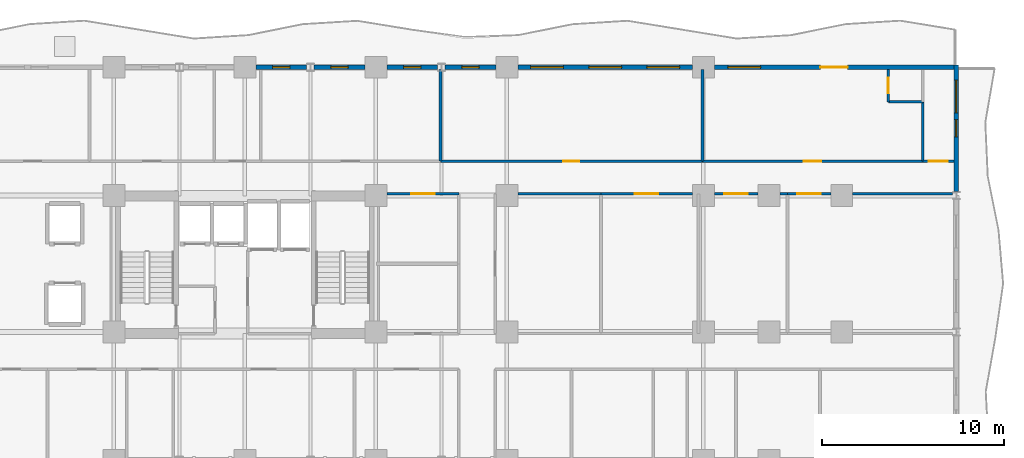
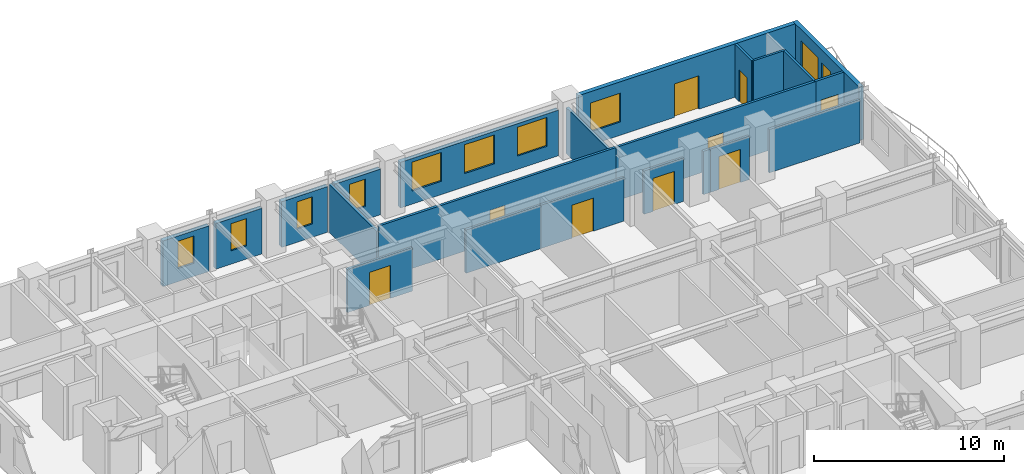
# One storey, part 7 of 11: 22 walls, 10 windows, 9 doors, 19 openings.
"""IFC4 building model written with IfcOpenShell, lengths in metres."""

from ifc_helpers import new_model, si_unit, direction, frame, frame_2d, origin, place, context, subcontext, project, spatial, rectangle, extrude, material, layer, layer_set, type_object, element, fill, save


model = new_model("IFC4")

# Units and contexts
model_context = context("Model", 3, precision=1e-05, world=origin(), true_north=direction((0.0, 1.0)))
body_context = subcontext(model_context, "Body", "Model", "MODEL_VIEW")
ifc_project = project(units=[si_unit("LENGTHUNIT", "METRE"), si_unit("AREAUNIT", "SQUARE_METRE"), si_unit("VOLUMEUNIT", "CUBIC_METRE"), si_unit("PLANEANGLEUNIT", "RADIAN"), si_unit("MASSUNIT", "GRAM", prefix="KILO")], contexts=[model_context])

# Site, building, storey
site_placement = place(None, origin())
site = spatial("IfcSite", under=ifc_project, at=site_placement, CompositionType="ELEMENT")
building_placement = place(site_placement, origin())
building = spatial("IfcBuilding", under=site, at=building_placement, Name="Kaliganga Portal Commons", CompositionType="ELEMENT")
storey_placement = place(building_placement, frame((0.0, 0.0, 89.699951171875)))
storey = spatial("IfcBuildingStorey", under=building, at=storey_placement, Name="L22", CompositionType="ELEMENT", Elevation=89.699951171875)

# Wall, openings, windows
ifc_material_1 = material(Name="Insulated Aluminium-Clad Spandrel Assembly", Category="aluminium")
ifc_layer_1 = layer(ifc_material_1, 0.260009765625)
ifc_layer_set_1 = layer_set([ifc_layer_1], Name="Insulated Aluminium-Clad Spandrel Assembly")
wall_type_1 = type_object("IfcWallType", Name="WL-EXT-SPAND-260", PredefinedType="STANDARD", material=ifc_layer_set_1)
wall_1_placement = place(storey_placement, frame((60.699951171875, 43.330078125, 0.0), z_axis=(0.0, 0.0, 1.0), x_axis=(0.0, -1.0, 0.0)))
wall_1 = element("IfcWall", 1, at=wall_1_placement, inside=storey, type_object=wall_type_1, Name="Exterior Envelope Wall L22 P1-E01-S6", PredefinedType="STANDARD", context=body_context, shape_type="SweptSolid", body=[
    extrude(rectangle(XDim=6.964111328125, YDim=0.260009765625, at=frame_2d((3.48193359375, 0.0))), origin(), (0.0, 0.0, 1.0), 3.429931640625),
])
opening_1_placement = place(wall_1_placement, frame((0.841064453125, 0.0, 0.85009765625)))
opening_1 = element("IfcOpeningElement", 2, at=opening_1_placement, cuts=wall_1, Name="Opening W-01", PredefinedType="OPENING", context=body_context, shape_type="SweptSolid", body=[
    extrude(rectangle(XDim=1.800048828125, YDim=1.85009765625, at=frame_2d((0.89990234375, 0.925048828125))), frame((0.0, 0.14013671875, 0.0), z_axis=(0.0, -1.0, 0.0), x_axis=(1.0, 0.0, 0.0)), (0.0, 0.0, 1.0), 0.280029296875),
])
opening_2_placement = place(wall_1_placement, frame((3.007080078125, 0.0, 0.85009765625)))
opening_2 = element("IfcOpeningElement", 3, at=opening_2_placement, cuts=wall_1, Name="Opening W-04", PredefinedType="OPENING", context=body_context, shape_type="SweptSolid", body=[
    extrude(rectangle(XDim=0.949951171875, YDim=1.75, at=frame_2d((0.47509765625, 0.875))), frame((0.0, 0.14013671875, 0.0), z_axis=(0.0, -1.0, 0.0), x_axis=(1.0, 0.0, 0.0)), (0.0, 0.0, 1.0), 0.280029296875),
])
ifc_material_2 = material(Name="Thermally Broken Aluminium and Low-E Double Glazing", Category="aluminium")
window_type_1 = type_object("IfcWindowType", Name="WIN-NARROW-950", PartitioningType="SINGLE_PANEL", PredefinedType="WINDOW", material=ifc_material_2)
window_1_placement = place(opening_2_placement, origin())
window_1 = element("IfcWindow", 4, at=window_1_placement, inside=storey, type_object=window_type_1, Name="Facade Window L22-P1E01S6-N0", OverallHeight=1.75, OverallWidth=0.949951171875, PartitioningType="SINGLE_PANEL", PredefinedType="WINDOW", context=body_context, shape_type="SweptSolid", body=[
    extrude(rectangle(XDim=0.949951171875, YDim=1.75, at=frame_2d((0.47509765625, 0.875))), frame((0.0, 0.030029296875, 0.0), z_axis=(0.0, -1.0, 0.0), x_axis=(1.0, 0.0, 0.0)), (0.0, 0.0, 1.0), 0.06005859375),
])
fill(opening_2, window_1)
window_type_2 = type_object("IfcWindowType", Name="WIN-STD-1800", PartitioningType="DOUBLE_PANEL_VERTICAL", PredefinedType="WINDOW", material=ifc_material_2)
window_2_placement = place(opening_1_placement, origin())
window_2 = element("IfcWindow", 5, at=window_2_placement, inside=storey, type_object=window_type_2, Name="Facade Window L22-P1E01S6-00", OverallHeight=1.85009765625, OverallWidth=1.800048828125, PartitioningType="SINGLE_PANEL", PredefinedType="WINDOW", context=body_context, shape_type="SweptSolid", body=[
    extrude(rectangle(XDim=1.800048828125, YDim=1.85009765625, at=frame_2d((0.89990234375, 0.925048828125))), frame((0.0, 0.030029296875, 0.0), z_axis=(0.0, -1.0, 0.0), x_axis=(1.0, 0.0, 0.0)), (0.0, 0.0, 1.0), 0.06005859375),
])
fill(opening_1, window_2)

# Wall, openings, door, window
wall_2_placement = place(storey_placement, frame((47.40087890625, 43.199951171875, 0.0), z_axis=(0.0, 0.0, 1.0), x_axis=(1.0, 0.0, 0.0)))
wall_2 = element("IfcWall", 6, at=wall_2_placement, inside=storey, type_object=wall_type_1, Name="Exterior Envelope Wall L22 P1-E02-S1", PredefinedType="STANDARD", context=body_context, shape_type="SweptSolid", body=[
    extrude(rectangle(XDim=13.1640625, YDim=0.260009765625, at=frame_2d((6.58203125, 0.0))), origin(), (0.0, 0.0, 1.0), 3.429931640625),
])
opening_3_placement = place(wall_2_placement, frame((5.83203125, 0.0, 0.0)))
opening_3 = element("IfcOpeningElement", 7, at=opening_3_placement, cuts=wall_2, Name="Opening BD-01", PredefinedType="OPENING", context=body_context, shape_type="SweptSolid", body=[
    extrude(rectangle(XDim=1.5, YDim=2.14990234375, at=frame_2d((0.75, 1.074951171875))), frame((0.0, 0.14013671875, 0.0), z_axis=(0.0, -1.0, 0.0), x_axis=(1.0, 0.0, 0.0)), (0.0, 0.0, 1.0), 0.280029296875),
])
opening_4_placement = place(wall_2_placement, frame((0.74560546875, 0.0, 0.85009765625)))
opening_4 = element("IfcOpeningElement", 8, at=opening_4_placement, cuts=wall_2, Name="Opening W-01", PredefinedType="OPENING", context=body_context, shape_type="SweptSolid", body=[
    extrude(rectangle(XDim=1.800048828125, YDim=1.85009765625, at=frame_2d((0.89990234375, 0.925048828125))), frame((0.0, 0.14013671875, 0.0), z_axis=(0.0, -1.0, 0.0), x_axis=(1.0, 0.0, 0.0)), (0.0, 0.0, 1.0), 0.280029296875),
])
ifc_material_3 = material(Name="Anodized Aluminium and Laminated Safety Glass", Category="aluminium")
door_type_1 = type_object("IfcDoorType", Name="DR-BALC-1500", OperationType="SLIDING_TO_LEFT", PredefinedType="DOOR", material=ifc_material_3)
door_1_placement = place(opening_3_placement, origin())
door_1 = element("IfcDoor", 9, at=door_1_placement, inside=storey, type_object=door_type_1, Name="Balcony Sliding Door L22 balc_north", OperationType="SLIDING_TO_LEFT", OverallHeight=2.14990234375, OverallWidth=1.5, PredefinedType="DOOR", context=body_context, shape_type="SweptSolid", body=[
    extrude(rectangle(XDim=1.5, YDim=2.14990234375, at=frame_2d((0.75, 1.074951171875))), frame((0.0, 0.02490234375, 0.0), z_axis=(0.0, -1.0, 0.0), x_axis=(1.0, 0.0, 0.0)), (0.0, 0.0, 1.0), 0.050048828125),
])
fill(opening_3, door_1)
window_3_placement = place(opening_4_placement, origin())
window_3 = element("IfcWindow", 10, at=window_3_placement, inside=storey, type_object=window_type_2, Name="Facade Window L22-P1E02S1-00", OverallHeight=1.85009765625, OverallWidth=1.800048828125, PartitioningType="SINGLE_PANEL", PredefinedType="WINDOW", context=body_context, shape_type="SweptSolid", body=[
    extrude(rectangle(XDim=1.800048828125, YDim=1.85009765625, at=frame_2d((0.89990234375, 0.925048828125))), frame((0.0, 0.030029296875, 0.0), z_axis=(0.0, -1.0, 0.0), x_axis=(1.0, 0.0, 0.0)), (0.0, 0.0, 1.0), 0.06005859375),
])
fill(opening_4, window_3)

# Wall, openings, windows
wall_3_placement = place(storey_placement, frame((36.60107421875, 43.199951171875, 0.0), z_axis=(0.0, 0.0, 1.0), x_axis=(1.0, 0.0, 0.0)))
wall_3 = element("IfcWall", 11, at=wall_3_placement, inside=storey, type_object=wall_type_1, Name="Exterior Envelope Wall L22 P1-E02-S2", PredefinedType="STANDARD", context=body_context, shape_type="SweptSolid", body=[
    extrude(rectangle(XDim=9.597900390625, YDim=0.260009765625, at=frame_2d((4.798828125, 0.0))), origin(), (0.0, 0.0, 1.0), 2.929931640625),
])
opening_5_placement = place(wall_3_placement, frame((0.69970703125, 0.0, 0.85009765625)))
opening_5 = element("IfcOpeningElement", 12, at=opening_5_placement, cuts=wall_3, Name="Opening W-01", PredefinedType="OPENING", context=body_context, shape_type="SweptSolid", body=[
    extrude(rectangle(XDim=1.800048828125, YDim=1.85009765625, at=frame_2d((0.89990234375, 0.925048828125))), frame((0.0, 0.14013671875, 0.0), z_axis=(0.0, -1.0, 0.0), x_axis=(1.0, 0.0, 0.0)), (0.0, 0.0, 1.0), 0.280029296875),
])
opening_6_placement = place(wall_3_placement, frame((3.89892578125, 0.0, 0.85009765625)))
opening_6 = element("IfcOpeningElement", 13, at=opening_6_placement, cuts=wall_3, Name="Opening W-01", PredefinedType="OPENING", context=body_context, shape_type="SweptSolid", body=[
    extrude(rectangle(XDim=1.800048828125, YDim=1.85009765625, at=frame_2d((0.89990234375, 0.925048828125))), frame((0.0, 0.14013671875, 0.0), z_axis=(0.0, -1.0, 0.0), x_axis=(1.0, 0.0, 0.0)), (0.0, 0.0, 1.0), 0.280029296875),
])
opening_7_placement = place(wall_3_placement, frame((7.098388671875, 0.0, 0.85009765625)))
opening_7 = element("IfcOpeningElement", 14, at=opening_7_placement, cuts=wall_3, Name="Opening W-01", PredefinedType="OPENING", context=body_context, shape_type="SweptSolid", body=[
    extrude(rectangle(XDim=1.800048828125, YDim=1.85009765625, at=frame_2d((0.89990234375, 0.925048828125))), frame((0.0, 0.14013671875, 0.0), z_axis=(0.0, -1.0, 0.0), x_axis=(1.0, 0.0, 0.0)), (0.0, 0.0, 1.0), 0.280029296875),
])
window_4_placement = place(opening_5_placement, origin())
window_4 = element("IfcWindow", 15, at=window_4_placement, inside=storey, type_object=window_type_2, Name="Facade Window L22-P1E02S2-00", OverallHeight=1.85009765625, OverallWidth=1.800048828125, PartitioningType="SINGLE_PANEL", PredefinedType="WINDOW", context=body_context, shape_type="SweptSolid", body=[
    extrude(rectangle(XDim=1.800048828125, YDim=1.85009765625, at=frame_2d((0.89990234375, 0.925048828125))), frame((0.0, 0.030029296875, 0.0), z_axis=(0.0, -1.0, 0.0), x_axis=(1.0, 0.0, 0.0)), (0.0, 0.0, 1.0), 0.06005859375),
])
fill(opening_5, window_4)
window_5_placement = place(opening_6_placement, origin())
window_5 = element("IfcWindow", 16, at=window_5_placement, inside=storey, type_object=window_type_2, Name="Facade Window L22-P1E02S2-01", OverallHeight=1.85009765625, OverallWidth=1.800048828125, PartitioningType="SINGLE_PANEL", PredefinedType="WINDOW", context=body_context, shape_type="SweptSolid", body=[
    extrude(rectangle(XDim=1.800048828125, YDim=1.85009765625, at=frame_2d((0.89990234375, 0.925048828125))), frame((0.0, 0.030029296875, 0.0), z_axis=(0.0, -1.0, 0.0), x_axis=(1.0, 0.0, 0.0)), (0.0, 0.0, 1.0), 0.06005859375),
])
fill(opening_6, window_5)
window_6_placement = place(opening_7_placement, origin())
window_6 = element("IfcWindow", 17, at=window_6_placement, inside=storey, type_object=window_type_2, Name="Facade Window L22-P1E02S2-02", OverallHeight=1.85009765625, OverallWidth=1.800048828125, PartitioningType="SINGLE_PANEL", PredefinedType="WINDOW", context=body_context, shape_type="SweptSolid", body=[
    extrude(rectangle(XDim=1.800048828125, YDim=1.85009765625, at=frame_2d((0.89990234375, 0.925048828125))), frame((0.0, 0.030029296875, 0.0), z_axis=(0.0, -1.0, 0.0), x_axis=(1.0, 0.0, 0.0)), (0.0, 0.0, 1.0), 0.06005859375),
])
fill(opening_7, window_6)

# Wall, opening, window
wall_4_placement = place(storey_placement, frame((32.60546875, 43.199951171875, 0.0), z_axis=(0.0, 0.0, 1.0), x_axis=(1.0, 0.0, 0.0)))
wall_4 = element("IfcWall", 18, at=wall_4_placement, inside=storey, type_object=wall_type_1, Name="Exterior Envelope Wall L22 P1-E02-S3", PredefinedType="STANDARD", context=body_context, shape_type="SweptSolid", body=[
    extrude(rectangle(XDim=2.79345703125, YDim=0.260009765625, at=frame_2d((1.396728515625, 0.0))), origin(), (0.0, 0.0, 1.0), 2.929931640625),
])
opening_8_placement = place(wall_4_placement, frame((0.921875, 0.0, 0.85009765625)))
opening_8 = element("IfcOpeningElement", 19, at=opening_8_placement, cuts=wall_4, Name="Opening W-04", PredefinedType="OPENING", context=body_context, shape_type="SweptSolid", body=[
    extrude(rectangle(XDim=0.949951171875, YDim=1.75, at=frame_2d((0.47509765625, 0.875))), frame((0.0, 0.14013671875, 0.0), z_axis=(0.0, -1.0, 0.0), x_axis=(1.0, 0.0, 0.0)), (0.0, 0.0, 1.0), 0.280029296875),
])
window_7_placement = place(opening_8_placement, origin())
window_7 = element("IfcWindow", 20, at=window_7_placement, inside=storey, type_object=window_type_1, Name="Facade Window L22-P1E02S3-00", OverallHeight=1.75, OverallWidth=0.949951171875, PartitioningType="SINGLE_PANEL", PredefinedType="WINDOW", context=body_context, shape_type="SweptSolid", body=[
    extrude(rectangle(XDim=0.949951171875, YDim=1.75, at=frame_2d((0.47509765625, 0.875))), frame((0.0, 0.030029296875, 0.0), z_axis=(0.0, -1.0, 0.0), x_axis=(1.0, 0.0, 0.0)), (0.0, 0.0, 1.0), 0.06005859375),
])
fill(opening_8, window_7)

wall_5_placement = place(storey_placement, frame((29.40087890625, 43.199951171875, 0.0), z_axis=(0.0, 0.0, 1.0), x_axis=(1.0, 0.0, 0.0)))
wall_5 = element("IfcWall", 21, at=wall_5_placement, inside=storey, type_object=wall_type_1, Name="Exterior Envelope Wall L22 P1-E02-S4", PredefinedType="STANDARD", context=body_context, shape_type="SweptSolid", body=[
    extrude(rectangle(XDim=2.793701171875, YDim=0.260009765625, at=frame_2d((1.39697265625, 0.0))), origin(), (0.0, 0.0, 1.0), 2.929931640625),
])
opening_9_placement = place(wall_5_placement, frame((0.921630859375, 0.0, 0.85009765625)))
opening_9 = element("IfcOpeningElement", 22, at=opening_9_placement, cuts=wall_5, Name="Opening W-04", PredefinedType="OPENING", context=body_context, shape_type="SweptSolid", body=[
    extrude(rectangle(XDim=0.949951171875, YDim=1.75, at=frame_2d((0.47509765625, 0.875))), frame((0.0, 0.14013671875, 0.0), z_axis=(0.0, -1.0, 0.0), x_axis=(1.0, 0.0, 0.0)), (0.0, 0.0, 1.0), 0.280029296875),
])
window_8_placement = place(opening_9_placement, origin())
window_8 = element("IfcWindow", 23, at=window_8_placement, inside=storey, type_object=window_type_1, Name="Facade Window L22-P1E02S4-00", OverallHeight=1.75, OverallWidth=0.949951171875, PartitioningType="SINGLE_PANEL", PredefinedType="WINDOW", context=body_context, shape_type="SweptSolid", body=[
    extrude(rectangle(XDim=0.949951171875, YDim=1.75, at=frame_2d((0.47509765625, 0.875))), frame((0.0, 0.030029296875, 0.0), z_axis=(0.0, -1.0, 0.0), x_axis=(1.0, 0.0, 0.0)), (0.0, 0.0, 1.0), 0.06005859375),
])
fill(opening_9, window_8)

wall_6_placement = place(storey_placement, frame((25.405517578125, 43.199951171875, 0.0), z_axis=(0.0, 0.0, 1.0), x_axis=(1.0, 0.0, 0.0)))
wall_6 = element("IfcWall", 24, at=wall_6_placement, inside=storey, type_object=wall_type_1, Name="Exterior Envelope Wall L22 P1-E02-S5", PredefinedType="STANDARD", context=body_context, shape_type="SweptSolid", body=[
    extrude(rectangle(XDim=2.79345703125, YDim=0.260009765625, at=frame_2d((1.396728515625, 0.0))), origin(), (0.0, 0.0, 1.0), 2.929931640625),
])
opening_10_placement = place(wall_6_placement, frame((0.921875, 0.0, 0.85009765625)))
opening_10 = element("IfcOpeningElement", 25, at=opening_10_placement, cuts=wall_6, Name="Opening W-04", PredefinedType="OPENING", context=body_context, shape_type="SweptSolid", body=[
    extrude(rectangle(XDim=0.949951171875, YDim=1.75, at=frame_2d((0.47509765625, 0.875))), frame((0.0, 0.14013671875, 0.0), z_axis=(0.0, -1.0, 0.0), x_axis=(1.0, 0.0, 0.0)), (0.0, 0.0, 1.0), 0.280029296875),
])
window_9_placement = place(opening_10_placement, origin())
window_9 = element("IfcWindow", 26, at=window_9_placement, inside=storey, type_object=window_type_1, Name="Facade Window L22-P1E02S5-00", OverallHeight=1.75, OverallWidth=0.949951171875, PartitioningType="SINGLE_PANEL", PredefinedType="WINDOW", context=body_context, shape_type="SweptSolid", body=[
    extrude(rectangle(XDim=0.949951171875, YDim=1.75, at=frame_2d((0.47509765625, 0.875))), frame((0.0, 0.030029296875, 0.0), z_axis=(0.0, -1.0, 0.0), x_axis=(1.0, 0.0, 0.0)), (0.0, 0.0, 1.0), 0.06005859375),
])
fill(opening_10, window_9)

wall_7_placement = place(storey_placement, frame((22.200927734375, 43.199951171875, 0.0), z_axis=(0.0, 0.0, 1.0), x_axis=(1.0, 0.0, 0.0)))
wall_7 = element("IfcWall", 27, at=wall_7_placement, inside=storey, type_object=wall_type_1, Name="Exterior Envelope Wall L22 P1-E02-S6", PredefinedType="STANDARD", context=body_context, shape_type="SweptSolid", body=[
    extrude(rectangle(XDim=2.79345703125, YDim=0.260009765625, at=frame_2d((1.396728515625, 0.0))), origin(), (0.0, 0.0, 1.0), 2.929931640625),
])
opening_11_placement = place(wall_7_placement, frame((0.921630859375, 0.0, 0.85009765625)))
opening_11 = element("IfcOpeningElement", 28, at=opening_11_placement, cuts=wall_7, Name="Opening W-04", PredefinedType="OPENING", context=body_context, shape_type="SweptSolid", body=[
    extrude(rectangle(XDim=0.949951171875, YDim=1.75, at=frame_2d((0.47509765625, 0.875))), frame((0.0, 0.14013671875, 0.0), z_axis=(0.0, -1.0, 0.0), x_axis=(1.0, 0.0, 0.0)), (0.0, 0.0, 1.0), 0.280029296875),
])
window_10_placement = place(opening_11_placement, origin())
window_10 = element("IfcWindow", 29, at=window_10_placement, inside=storey, type_object=window_type_1, Name="Facade Window L22-P1E02S6-00", OverallHeight=1.75, OverallWidth=0.949951171875, PartitioningType="SINGLE_PANEL", PredefinedType="WINDOW", context=body_context, shape_type="SweptSolid", body=[
    extrude(rectangle(XDim=0.949951171875, YDim=1.75, at=frame_2d((0.47509765625, 0.875))), frame((0.0, 0.030029296875, 0.0), z_axis=(0.0, -1.0, 0.0), x_axis=(1.0, 0.0, 0.0)), (0.0, 0.0, 1.0), 0.06005859375),
])
fill(opening_11, window_10)

# Wall, opening, door
ifc_material_4 = material(Name="Fire-Rated Gypsum Board on Steel Stud", Category="steel")
ifc_layer_2 = layer(ifc_material_4, 0.14990234375)
ifc_layer_set_2 = layer_set([ifc_layer_2], Name="Fire-Rated Gypsum Board on Steel Stud")
wall_type_2 = type_object("IfcWallType", Name="WL-PART-CORR-150", PredefinedType="PARTITIONING", material=ifc_layer_set_2)
wall_8_placement = place(storey_placement, frame((32.340087890625, 38.0400390625, 0.0), z_axis=(0.0, 0.0, 1.0), x_axis=(1.0, 0.0, 0.0)))
wall_8 = element("IfcWall", 30, at=wall_8_placement, inside=storey, type_object=wall_type_2, Name="Interior Partition L22-004", PredefinedType="PARTITIONING", context=body_context, shape_type="SweptSolid", body=[
    extrude(rectangle(XDim=14.39990234375, YDim=0.14990234375, at=frame_2d((7.199951171875, 0.0))), origin(), (0.0, 0.0, 1.0), 3.429931640625),
])
opening_12_placement = place(wall_8_placement, frame((6.75, 0.0, 0.0)))
opening_12 = element("IfcOpeningElement", 31, at=opening_12_placement, cuts=wall_8, Name="Opening RD-01", PredefinedType="OPENING", context=body_context, shape_type="SweptSolid", body=[
    extrude(rectangle(XDim=0.89990234375, YDim=2.080078125, at=frame_2d((0.449951171875, 1.0400390625))), frame((0.0, 0.0849609375, 0.0), z_axis=(0.0, -1.0, 0.0), x_axis=(1.0, 0.0, 0.0)), (0.0, 0.0, 1.0), 0.169921875),
])
ifc_material_5 = material(Name="Engineered Timber Flush Door", Category="wood")
door_type_2 = type_object("IfcDoorType", Name="DR-ROOM-900", OperationType="NOTDEFINED", PredefinedType="DOOR", material=ifc_material_5)
door_2_placement = place(opening_12_placement, origin())
door_2 = element("IfcDoor", 32, at=door_2_placement, inside=storey, type_object=door_type_2, Name="Interior Door L22-AN05", OperationType="SINGLE_SWING_RIGHT", OverallHeight=2.080078125, OverallWidth=0.89990234375, PredefinedType="DOOR", context=body_context, shape_type="SweptSolid", body=[
    extrude(rectangle(XDim=0.89990234375, YDim=2.080078125, at=frame_2d((0.449951171875, 1.0400390625))), frame((0.0, 0.02490234375, 0.0), z_axis=(0.0, -1.0, 0.0), x_axis=(1.0, 0.0, 0.0)), (0.0, 0.0, 1.0), 0.050048828125),
])
fill(opening_12, door_2)

wall_9_placement = place(storey_placement, frame((46.739990234375, 38.0400390625, 0.0), z_axis=(0.0, 0.0, 1.0), x_axis=(1.0, 0.0, 0.0)))
wall_9 = element("IfcWall", 33, at=wall_9_placement, inside=storey, type_object=wall_type_2, Name="Interior Partition L22-007", PredefinedType="PARTITIONING", context=body_context, shape_type="SweptSolid", body=[
    extrude(rectangle(XDim=12.1201171875, YDim=0.14990234375, at=frame_2d((6.06005859375, 0.0))), origin(), (0.0, 0.0, 1.0), 3.429931640625),
])
opening_13_placement = place(wall_9_placement, frame((5.5849609375, 0.0, 0.0)))
opening_13 = element("IfcOpeningElement", 34, at=opening_13_placement, cuts=wall_9, Name="Opening UD-01", PredefinedType="OPENING", context=body_context, shape_type="SweptSolid", body=[
    extrude(rectangle(XDim=0.949951171875, YDim=2.10009765625, at=frame_2d((0.47509765625, 1.050048828125))), frame((0.0, 0.0849609375, 0.0), z_axis=(0.0, -1.0, 0.0), x_axis=(1.0, 0.0, 0.0)), (0.0, 0.0, 1.0), 0.169921875),
])
ifc_material_6 = material(Name="Solid-Core Timber Acoustic Fire Door", Category="wood")
door_type_3 = type_object("IfcDoorType", Name="DR-UNIT-950", OperationType="NOTDEFINED", PredefinedType="DOOR", material=ifc_material_6)
door_3_placement = place(opening_13_placement, origin())
door_3 = element("IfcDoor", 35, at=door_3_placement, inside=storey, type_object=door_type_3, Name="Interior Door L22-AN06", OperationType="SINGLE_SWING_LEFT", OverallHeight=2.10009765625, OverallWidth=0.949951171875, PredefinedType="DOOR", context=body_context, shape_type="SweptSolid", body=[
    extrude(rectangle(XDim=0.949951171875, YDim=2.10009765625, at=frame_2d((0.47509765625, 1.050048828125))), frame((0.0, 0.02490234375, 0.0), z_axis=(0.0, -1.0, 0.0), x_axis=(1.0, 0.0, 0.0)), (0.0, 0.0, 1.0), 0.050048828125),
])
fill(opening_13, door_3)

wall_10_placement = place(storey_placement, frame((51.419921875, 36.239990234375, 0.0), z_axis=(0.0, 0.0, 1.0), x_axis=(1.0, 0.0, 0.0)))
wall_10 = element("IfcWall", 36, at=wall_10_placement, inside=storey, type_object=wall_type_2, Name="Interior Partition L22-014", PredefinedType="PARTITIONING", context=body_context, shape_type="SweptSolid", body=[
    extrude(rectangle(XDim=2.380126953125, YDim=0.14990234375, at=frame_2d((1.18994140625, 0.0))), origin(), (0.0, 0.0, 1.0), 2.780029296875),
])
opening_14_placement = place(wall_10_placement, frame((0.5400390625, 0.0, 0.0)))
opening_14 = element("IfcOpeningElement", 37, at=opening_14_placement, cuts=wall_10, Name="Opening RD-03", PredefinedType="OPENING", context=body_context, shape_type="SweptSolid", body=[
    extrude(rectangle(XDim=1.300048828125, YDim=2.1201171875, at=frame_2d((0.64990234375, 1.06005859375))), frame((0.0, 0.0849609375, 0.0), z_axis=(0.0, -1.0, 0.0), x_axis=(1.0, 0.0, 0.0)), (0.0, 0.0, 1.0), 0.169921875),
])
ifc_material_7 = material(Name="Glazed Timber Seminar Vision Door", Category="wood")
door_type_4 = type_object("IfcDoorType", Name="DR-STUDY-1300", OperationType="DOUBLE_DOOR_SINGLE_SWING", PredefinedType="DOOR", material=ifc_material_7)
door_4_placement = place(opening_14_placement, origin())
door_4 = element("IfcDoor", 38, at=door_4_placement, inside=storey, type_object=door_type_4, Name="Interior Door L22-BK04", OperationType="DOUBLE_DOOR_SINGLE_SWING", OverallHeight=2.1201171875, OverallWidth=1.300048828125, PredefinedType="DOOR", context=body_context, shape_type="SweptSolid", body=[
    extrude(rectangle(XDim=1.300048828125, YDim=2.1201171875, at=frame_2d((0.64990234375, 1.06005859375))), frame((0.0, 0.02490234375, 0.0), z_axis=(0.0, -1.0, 0.0), x_axis=(1.0, 0.0, 0.0)), (0.0, 0.0, 1.0), 0.050048828125),
])
fill(opening_14, door_4)

# Walls
wall_11_placement = place(storey_placement, frame((55.0, 36.239990234375, 0.0), z_axis=(0.0, 0.0, 1.0), x_axis=(1.0, 0.0, 0.0)))
element("IfcWall", 39, at=wall_11_placement, inside=storey, type_object=wall_type_2, Name="Interior Partition L22-015", PredefinedType="PARTITIONING", context=body_context, shape_type="SweptSolid", body=[
    extrude(rectangle(XDim=5.49560546875, YDim=0.14990234375, at=frame_2d((2.747802734375, 0.0))), origin(), (0.0, 0.0, 1.0), 2.780029296875),
])
wall_12_placement = place(storey_placement, frame((36.60009765625, 36.239990234375, 0.0), z_axis=(0.0, 0.0, 1.0), x_axis=(1.0, 0.0, 0.0)))
element("IfcWall", 40, at=wall_12_placement, inside=storey, type_object=wall_type_2, Name="Interior Partition L22-022", PredefinedType="PARTITIONING", context=body_context, shape_type="SweptSolid", body=[
    extrude(rectangle(XDim=4.559814453125, YDim=0.14990234375, at=frame_2d((2.27978515625, 0.0))), origin(), (0.0, 0.0, 1.0), 2.780029296875),
])

# Wall, opening, door
wall_13_placement = place(storey_placement, frame((41.159912109375, 36.239990234375, 0.0), z_axis=(0.0, 0.0, 1.0), x_axis=(1.0, 0.0, 0.0)))
wall_13 = element("IfcWall", 41, at=wall_13_placement, inside=storey, type_object=wall_type_2, Name="Interior Partition L22-024", PredefinedType="PARTITIONING", context=body_context, shape_type="SweptSolid", body=[
    extrude(rectangle(XDim=5.0400390625, YDim=0.14990234375, at=frame_2d((2.52001953125, 0.0))), origin(), (0.0, 0.0, 1.0), 2.780029296875),
])
opening_15_placement = place(wall_13_placement, frame((1.8701171875, 0.0, 0.0)))
opening_15 = element("IfcOpeningElement", 42, at=opening_15_placement, cuts=wall_13, Name="Opening RD-03", PredefinedType="OPENING", context=body_context, shape_type="SweptSolid", body=[
    extrude(rectangle(XDim=1.300048828125, YDim=2.1201171875, at=frame_2d((0.64990234375, 1.06005859375))), frame((0.0, 0.0849609375, 0.0), z_axis=(0.0, -1.0, 0.0), x_axis=(1.0, 0.0, 0.0)), (0.0, 0.0, 1.0), 0.169921875),
])
door_5_placement = place(opening_15_placement, origin())
door_5 = element("IfcDoor", 43, at=door_5_placement, inside=storey, type_object=door_type_4, Name="Interior Door L22-BK02", OperationType="DOUBLE_DOOR_SINGLE_SWING", OverallHeight=2.1201171875, OverallWidth=1.300048828125, PredefinedType="DOOR", context=body_context, shape_type="SweptSolid", body=[
    extrude(rectangle(XDim=1.300048828125, YDim=2.1201171875, at=frame_2d((0.64990234375, 1.06005859375))), frame((0.0, 0.02490234375, 0.0), z_axis=(0.0, -1.0, 0.0), x_axis=(1.0, 0.0, 0.0)), (0.0, 0.0, 1.0), 0.050048828125),
])
fill(opening_15, door_5)

wall_14_placement = place(storey_placement, frame((47.39990234375, 36.239990234375, 0.0), z_axis=(0.0, 0.0, 1.0), x_axis=(1.0, 0.0, 0.0)))
wall_14 = element("IfcWall", 44, at=wall_14_placement, inside=storey, type_object=wall_type_2, Name="Interior Partition L22-026", PredefinedType="PARTITIONING", context=body_context, shape_type="SweptSolid", body=[
    extrude(rectangle(XDim=2.400146484375, YDim=0.14990234375, at=frame_2d((1.2001953125, 0.0))), origin(), (0.0, 0.0, 1.0), 2.780029296875),
])
opening_16_placement = place(wall_14_placement, frame((0.550048828125, 0.0, 0.0)))
opening_16 = element("IfcOpeningElement", 45, at=opening_16_placement, cuts=wall_14, Name="Opening RD-03", PredefinedType="OPENING", context=body_context, shape_type="SweptSolid", body=[
    extrude(rectangle(XDim=1.300048828125, YDim=2.1201171875, at=frame_2d((0.64990234375, 1.06005859375))), frame((0.0, 0.0849609375, 0.0), z_axis=(0.0, -1.0, 0.0), x_axis=(1.0, 0.0, 0.0)), (0.0, 0.0, 1.0), 0.169921875),
])
door_6_placement = place(opening_16_placement, origin())
door_6 = element("IfcDoor", 46, at=door_6_placement, inside=storey, type_object=door_type_4, Name="Interior Door L22-BK03", OperationType="DOUBLE_DOOR_SINGLE_SWING", OverallHeight=2.1201171875, OverallWidth=1.300048828125, PredefinedType="DOOR", context=body_context, shape_type="SweptSolid", body=[
    extrude(rectangle(XDim=1.300048828125, YDim=2.1201171875, at=frame_2d((0.64990234375, 1.06005859375))), frame((0.0, 0.02490234375, 0.0), z_axis=(0.0, -1.0, 0.0), x_axis=(1.0, 0.0, 0.0)), (0.0, 0.0, 1.0), 0.050048828125),
])
fill(opening_16, door_6)

# Wall
wall_15_placement = place(storey_placement, frame((51.0, 36.239990234375, 0.0), z_axis=(0.0, 0.0, 1.0), x_axis=(1.0, 0.0, 0.0)))
element("IfcWall", 47, at=wall_15_placement, inside=storey, type_object=wall_type_2, Name="Interior Partition L22-027", PredefinedType="PARTITIONING", context=body_context, shape_type="SweptSolid", body=[
    extrude(rectangle(XDim=0.419921875, YDim=0.14990234375, at=frame_2d((0.2099609375, 0.0))), origin(), (0.0, 0.0, 1.0), 2.780029296875),
])

# Wall, opening, door
wall_16_placement = place(storey_placement, frame((29.39990234375, 36.239990234375, 0.0), z_axis=(0.0, 0.0, 1.0), x_axis=(1.0, 0.0, 0.0)))
wall_16 = element("IfcWall", 48, at=wall_16_placement, inside=storey, type_object=wall_type_2, Name="Interior Partition L22-030", PredefinedType="PARTITIONING", context=body_context, shape_type="SweptSolid", body=[
    extrude(rectangle(XDim=3.960205078125, YDim=0.14990234375, at=frame_2d((1.97998046875, 0.0))), origin(), (0.0, 0.0, 1.0), 2.780029296875),
])
opening_17_placement = place(wall_16_placement, frame((1.330078125, 0.0, 0.0)))
opening_17 = element("IfcOpeningElement", 49, at=opening_17_placement, cuts=wall_16, Name="Opening RD-03", PredefinedType="OPENING", context=body_context, shape_type="SweptSolid", body=[
    extrude(rectangle(XDim=1.300048828125, YDim=2.1201171875, at=frame_2d((0.64990234375, 1.06005859375))), frame((0.0, 0.0849609375, 0.0), z_axis=(0.0, -1.0, 0.0), x_axis=(1.0, 0.0, 0.0)), (0.0, 0.0, 1.0), 0.169921875),
])
door_7_placement = place(opening_17_placement, origin())
door_7 = element("IfcDoor", 50, at=door_7_placement, inside=storey, type_object=door_type_4, Name="Interior Door L22-CSRV_A2", OperationType="DOUBLE_DOOR_SINGLE_SWING", OverallHeight=2.1201171875, OverallWidth=1.300048828125, PredefinedType="DOOR", context=body_context, shape_type="SweptSolid", body=[
    extrude(rectangle(XDim=1.300048828125, YDim=2.1201171875, at=frame_2d((0.64990234375, 1.06005859375))), frame((0.0, 0.02490234375, 0.0), z_axis=(0.0, -1.0, 0.0), x_axis=(1.0, 0.0, 0.0)), (0.0, 0.0, 1.0), 0.050048828125),
])
fill(opening_17, door_7)

wall_17_placement = place(storey_placement, frame((58.860107421875, 38.0400390625, 0.0), z_axis=(0.0, 0.0, 1.0), x_axis=(1.0, 0.0, 0.0)))
wall_17 = element("IfcWall", 51, at=wall_17_placement, inside=storey, type_object=wall_type_2, Name="Interior Partition L22-045", PredefinedType="PARTITIONING", context=body_context, shape_type="SweptSolid", body=[
    extrude(rectangle(XDim=1.7080078125, YDim=0.14990234375, at=frame_2d((0.85400390625, 0.0))), origin(), (0.0, 0.0, 1.0), 3.429931640625),
])
opening_18_placement = place(wall_17_placement, frame((0.3291015625, 0.0, 0.0)))
opening_18 = element("IfcOpeningElement", 52, at=opening_18_placement, cuts=wall_17, Name="Opening UD-02", PredefinedType="OPENING", context=body_context, shape_type="SweptSolid", body=[
    extrude(rectangle(XDim=1.050048828125, YDim=2.1201171875, at=frame_2d((0.52490234375, 1.06005859375))), frame((0.0, 0.0849609375, 0.0), z_axis=(0.0, -1.0, 0.0), x_axis=(1.0, 0.0, 0.0)), (0.0, 0.0, 1.0), 0.169921875),
])
ifc_material_8 = material(Name="Accessible Wide-Leaf Acoustic Fire Door", Category="wood")
door_type_5 = type_object("IfcDoorType", Name="DR-ACC-1050", OperationType="NOTDEFINED", PredefinedType="DOOR", material=ifc_material_8)
door_8_placement = place(opening_18_placement, origin())
door_8 = element("IfcDoor", 53, at=door_8_placement, inside=storey, type_object=door_type_5, Name="Interior Door L22-AN07", OperationType="SINGLE_SWING_RIGHT", OverallHeight=2.1201171875, OverallWidth=1.050048828125, PredefinedType="DOOR", context=body_context, shape_type="SweptSolid", body=[
    extrude(rectangle(XDim=1.050048828125, YDim=2.1201171875, at=frame_2d((0.52490234375, 1.06005859375))), frame((0.0, 0.02490234375, 0.0), z_axis=(0.0, -1.0, 0.0), x_axis=(1.0, 0.0, 0.0)), (0.0, 0.0, 1.0), 0.050048828125),
])
fill(opening_18, door_8)

# Walls
ifc_material_9 = material(Name="Twin-Stud Acoustic Gypsum Partition", Category="gypsum")
ifc_layer_3 = layer(ifc_material_9, 0.1650390625)
ifc_layer_set_3 = layer_set([ifc_layer_3], Name="Twin-Stud Acoustic Gypsum Partition")
wall_type_3 = type_object("IfcWallType", Name="WL-PART-UNIT-165", PredefinedType="PARTITIONING", material=ifc_layer_set_3)
wall_18_placement = place(storey_placement, frame((32.340087890625, 38.0400390625, 0.0), z_axis=(0.0, 0.0, 1.0), x_axis=(0.0, 1.0, 0.0)))
element("IfcWall", 54, at=wall_18_placement, inside=storey, type_object=wall_type_3, Name="Interior Partition L22-063", PredefinedType="PARTITIONING", context=body_context, shape_type="SweptSolid", body=[
    extrude(rectangle(XDim=5.028076171875, YDim=0.1650390625, at=frame_2d((2.51416015625, 0.0))), origin(), (0.0, 0.0, 1.0), 3.070068359375),
])
wall_19_placement = place(storey_placement, frame((46.739990234375, 38.0400390625, 0.0), z_axis=(0.0, 0.0, 1.0), x_axis=(0.0, 1.0, 0.0)))
element("IfcWall", 55, at=wall_19_placement, inside=storey, type_object=wall_type_3, Name="Interior Partition L22-064", PredefinedType="PARTITIONING", context=body_context, shape_type="SweptSolid", body=[
    extrude(rectangle(XDim=5.028076171875, YDim=0.1650390625, at=frame_2d((2.51416015625, 0.0))), origin(), (0.0, 0.0, 1.0), 2.929931640625),
])

# Wall, opening, door
ifc_material_10 = material(Name="Cement-Board Wet-Room Partition", Category="gypsum")
ifc_layer_4 = layer(ifc_material_10, 0.135009765625)
ifc_layer_set_4 = layer_set([ifc_layer_4], Name="Cement-Board Wet-Room Partition")
wall_type_4 = type_object("IfcWallType", Name="WL-PART-WET-135", PredefinedType="PARTITIONING", material=ifc_layer_set_4)
wall_20_placement = place(storey_placement, frame((56.9599609375, 41.300048828125, 0.0), z_axis=(0.0, 0.0, 1.0), x_axis=(0.0, 1.0, 0.0)))
wall_20 = element("IfcWall", 56, at=wall_20_placement, inside=storey, type_object=wall_type_4, Name="Interior Partition L22-001", PredefinedType="PARTITIONING", context=body_context, shape_type="SweptSolid", body=[
    extrude(rectangle(XDim=1.76806640625, YDim=0.135009765625, at=frame_2d((0.884033203125, 0.0))), origin(), (0.0, 0.0, 1.0), 3.429931640625),
])
opening_19_placement = place(wall_20_placement, frame((0.458984375, 0.0, 0.0)))
opening_19 = element("IfcOpeningElement", 57, at=opening_19_placement, cuts=wall_20, Name="Opening WD-01", PredefinedType="OPENING", context=body_context, shape_type="SweptSolid", body=[
    extrude(rectangle(XDim=0.85009765625, YDim=2.0400390625, at=frame_2d((0.425048828125, 1.02001953125))), frame((0.0, 0.07763671875, 0.0), z_axis=(0.0, -1.0, 0.0), x_axis=(1.0, 0.0, 0.0)), (0.0, 0.0, 1.0), 0.155029296875),
])
ifc_material_11 = material(Name="Moisture-Resistant Laminate Timber Door", Category="wood")
door_type_6 = type_object("IfcDoorType", Name="DR-WET-850", OperationType="NOTDEFINED", PredefinedType="DOOR", material=ifc_material_11)
door_9_placement = place(opening_19_placement, origin())
door_9 = element("IfcDoor", 58, at=door_9_placement, inside=storey, type_object=door_type_6, Name="Interior Door L22-AN06E", OperationType="SINGLE_SWING_LEFT", OverallHeight=2.0400390625, OverallWidth=0.85009765625, PredefinedType="DOOR", context=body_context, shape_type="SweptSolid", body=[
    extrude(rectangle(XDim=0.85009765625, YDim=2.0400390625, at=frame_2d((0.425048828125, 1.02001953125))), frame((0.0, 0.02490234375, 0.0), z_axis=(0.0, -1.0, 0.0), x_axis=(1.0, 0.0, 0.0)), (0.0, 0.0, 1.0), 0.050048828125),
])
fill(opening_19, door_9)

# Walls
wall_21_placement = place(storey_placement, frame((56.9599609375, 41.300048828125, 0.0), z_axis=(0.0, 0.0, 1.0), x_axis=(1.0, 0.0, 0.0)))
element("IfcWall", 59, at=wall_21_placement, inside=storey, type_object=wall_type_4, Name="Interior Partition L22-003", PredefinedType="PARTITIONING", context=body_context, shape_type="SweptSolid", body=[
    extrude(rectangle(XDim=1.900146484375, YDim=0.135009765625, at=frame_2d((0.9501953125, 0.0))), origin(), (0.0, 0.0, 1.0), 3.429931640625),
])
wall_22_placement = place(storey_placement, frame((58.860107421875, 38.0400390625, 0.0), z_axis=(0.0, 0.0, 1.0), x_axis=(0.0, 1.0, 0.0)))
element("IfcWall", 60, at=wall_22_placement, inside=storey, type_object=wall_type_4, Name="Interior Partition L22-077", PredefinedType="PARTITIONING", context=body_context, shape_type="SweptSolid", body=[
    extrude(rectangle(XDim=3.260009765625, YDim=0.135009765625, at=frame_2d((1.6298828125, 0.0))), origin(), (0.0, 0.0, 1.0), 3.429931640625),
])

save(model, "model.ifc")
